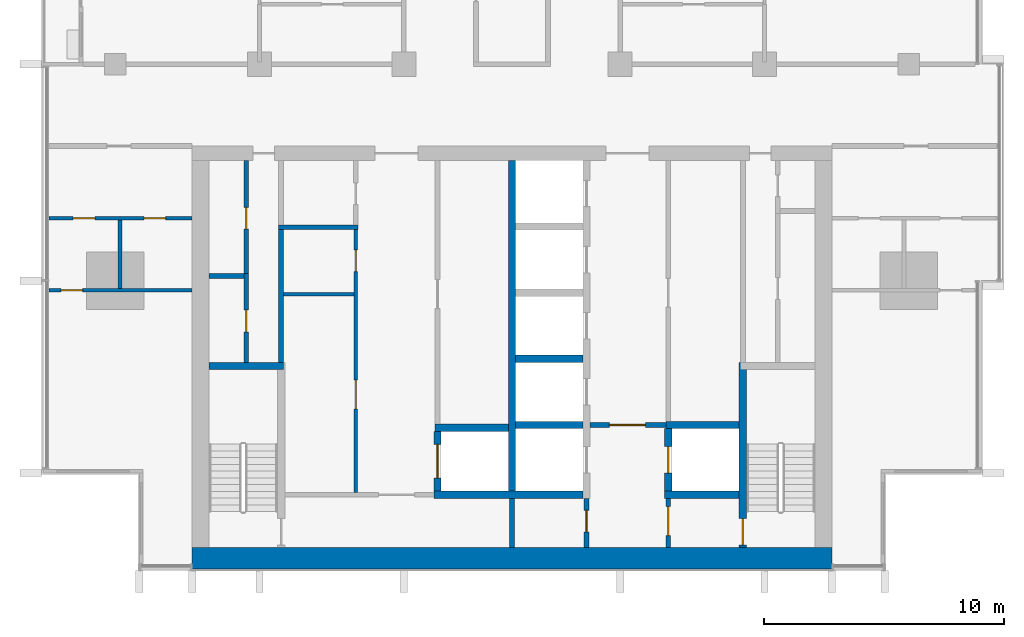
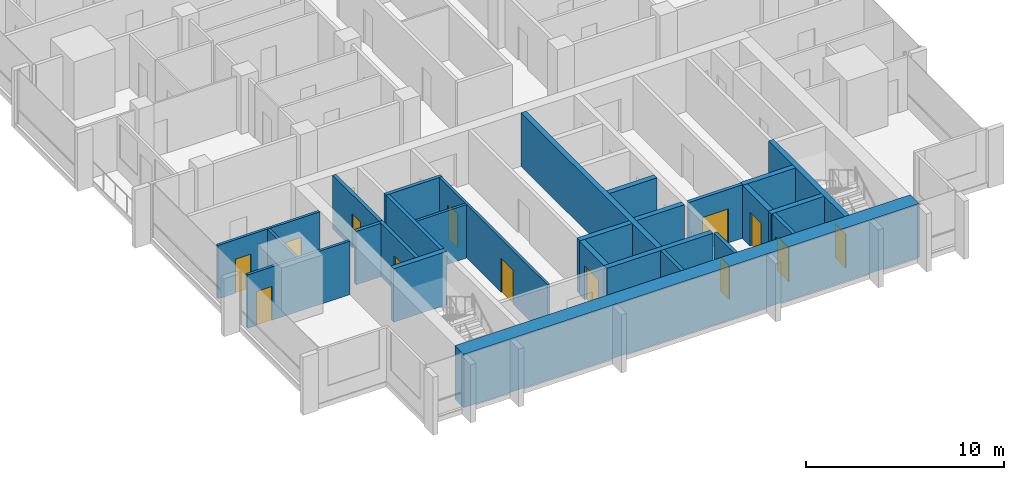
# One storey, part 7 of 17: 26 walls, 13 doors, 13 openings.
"""IFC4 building model written with IfcOpenShell, lengths in metres."""

from ifc_helpers import new_model, si_unit, direction, frame, frame_2d, origin, place, context, subcontext, project, spatial, rectangle, extrude, material, layer, layer_set, type_object, element, fill, save


model = new_model("IFC4")

# Units and contexts
model_context = context("Model", 3, precision=1e-05, world=origin(), true_north=direction((0.0, 1.0)))
body_context = subcontext(model_context, "Body", "Model", "MODEL_VIEW")
ifc_project = project(units=[si_unit("LENGTHUNIT", "METRE"), si_unit("AREAUNIT", "SQUARE_METRE"), si_unit("VOLUMEUNIT", "CUBIC_METRE"), si_unit("PLANEANGLEUNIT", "RADIAN"), si_unit("MASSUNIT", "GRAM", prefix="KILO")], contexts=[model_context])

# Site, building, storey
site_placement = place(None, origin())
site = spatial("IfcSite", under=ifc_project, at=site_placement, CompositionType="ELEMENT")
building_placement = place(site_placement, origin())
building = spatial("IfcBuilding", under=site, at=building_placement, Name="Finial Court Residences", CompositionType="ELEMENT")
storey_placement = place(building_placement, frame((0.0, 0.0, 192.5)))
storey = spatial("IfcBuildingStorey", under=building, at=storey_placement, Name="L48", CompositionType="ELEMENT", Elevation=192.5)

# Wall
ifc_material_1 = material(Name="Fire-rated gypsum board partition")
ifc_layer_1 = layer(ifc_material_1, 0.14990234375)
ifc_layer_set_1 = layer_set([ifc_layer_1], Name="Core room partition 150 EI 60")
wall_type_1 = type_object("IfcWallType", Name="Core room partition 150 EI 60", PredefinedType="PARTITIONING", material=ifc_layer_set_1)
wall_1_placement = place(storey_placement, frame((-9.5, -14.06005859375, 0.0), z_axis=(0.0, 0.0, 1.0), x_axis=(1.0, 0.0, 0.0)))
element("IfcWall", 1, at=wall_1_placement, inside=storey, type_object=wall_type_1, Name="Core partition L48-11", PredefinedType="PARTITIONING", context=body_context, shape_type="SweptSolid", body=[
    extrude(rectangle(XDim=2.925048828125, YDim=0.14990234375, at=frame_2d((1.46240234375, 0.0))), origin(), (0.0, 0.0, 1.0), 3.300048828125),
])

# Wall, openings, doors
wall_2_placement = place(storey_placement, frame((-6.5, -22.300048828125, 0.0), z_axis=(0.0, 0.0, 1.0), x_axis=(0.0, 1.0, 0.0)))
wall_2 = element("IfcWall", 2, at=wall_2_placement, inside=storey, type_object=wall_type_1, Name="Core partition L48-22", PredefinedType="PARTITIONING", context=body_context, shape_type="SweptSolid", body=[
    extrude(rectangle(XDim=10.920166015625, YDim=0.14990234375, at=frame_2d((5.4599609375, 0.0))), origin(), (0.0, 0.0, 1.0), 3.300048828125),
])
opening_1_placement = place(wall_2_placement, frame((3.469970703125, 0.0, 0.0)))
opening_1 = element("IfcOpeningElement", 3, at=opening_1_placement, cuts=wall_2, Name="Opening L48-C16", PredefinedType="OPENING", context=body_context, shape_type="SweptSolid", body=[
    extrude(rectangle(XDim=1.199951171875, YDim=2.10009765625, at=frame_2d((0.60009765625, 1.050048828125))), frame((0.0, 0.0849609375, 0.0), z_axis=(0.0, -1.0, 0.0), x_axis=(1.0, 0.0, 0.0)), (0.0, 0.0, 1.0), 0.169921875),
])
opening_2_placement = place(wall_2_placement, frame((9.179931640625, 0.0, 0.0)))
opening_2 = element("IfcOpeningElement", 4, at=opening_2_placement, cuts=wall_2, Name="Opening L48-C17", PredefinedType="OPENING", context=body_context, shape_type="SweptSolid", body=[
    extrude(rectangle(XDim=0.89990234375, YDim=2.10009765625, at=frame_2d((0.449951171875, 1.050048828125))), frame((0.0, 0.0849609375, 0.0), z_axis=(0.0, -1.0, 0.0), x_axis=(1.0, 0.0, 0.0)), (0.0, 0.0, 1.0), 0.169921875),
])
ifc_material_2 = material(Name="Steel fire door", Category="steel")
door_type_1 = type_object("IfcDoorType", Name="Core room door 1200 x 2100 EI 60", OperationType="NOTDEFINED", PredefinedType="DOOR", material=ifc_material_2)
door_1_placement = place(opening_1_placement, origin())
door_1 = element("IfcDoor", 5, at=door_1_placement, inside=storey, type_object=door_type_1, Name="Core room door L48-C16", OperationType="SINGLE_SWING_LEFT", OverallHeight=2.10009765625, OverallWidth=1.199951171875, PredefinedType="DOOR", context=body_context, shape_type="SweptSolid", body=[
    extrude(rectangle(XDim=1.199951171875, YDim=2.10009765625, at=frame_2d((0.60009765625, 1.050048828125))), frame((0.0, 0.02490234375, 0.0), z_axis=(0.0, -1.0, 0.0), x_axis=(1.0, 0.0, 0.0)), (0.0, 0.0, 1.0), 0.050048828125),
])
fill(opening_1, door_1)
door_type_2 = type_object("IfcDoorType", Name="Core room door 900 x 2100 EI 60", OperationType="NOTDEFINED", PredefinedType="DOOR", material=ifc_material_2)
door_2_placement = place(opening_2_placement, origin())
door_2 = element("IfcDoor", 6, at=door_2_placement, inside=storey, type_object=door_type_2, Name="Core room door L48-C17", OperationType="SINGLE_SWING_LEFT", OverallHeight=2.10009765625, OverallWidth=0.89990234375, PredefinedType="DOOR", context=body_context, shape_type="SweptSolid", body=[
    extrude(rectangle(XDim=0.89990234375, YDim=2.10009765625, at=frame_2d((0.449951171875, 1.050048828125))), frame((0.0, 0.02490234375, 0.0), z_axis=(0.0, -1.0, 0.0), x_axis=(1.0, 0.0, 0.0)), (0.0, 0.0, 1.0), 0.050048828125),
])
fill(opening_2, door_2)

# Wall
ifc_material_3 = material(Name="Concrete C70/85", Category="concrete")
ifc_layer_2 = layer(ifc_material_3, 0.89990234375)
ifc_layer_set_2 = layer_set([ifc_layer_2], Name="Core south facade wall 900 Concrete C70/85")
wall_type_2 = type_object("IfcWallType", Name="Core south facade wall 900 Concrete C70/85", PredefinedType="SHEAR", material=ifc_layer_set_2)
wall_3_placement = place(storey_placement, frame((-13.300048828125, -25.050048828125, 0.0), z_axis=(0.0, 0.0, 1.0), x_axis=(1.0, 0.0, 0.0)))
element("IfcWall", 7, at=wall_3_placement, inside=storey, type_object=wall_type_2, Name="Core outer wall L48-01", PredefinedType="SHEAR", context=body_context, shape_type="SweptSolid", body=[
    extrude(rectangle(XDim=26.60009765625, YDim=0.89990234375, at=frame_2d((13.300048828125, 0.0))), origin(), (0.0, 0.0, 1.0), 3.300048828125),
])

# Wall, opening, door
ifc_layer_3 = layer(ifc_material_1, 0.199951171875)
ifc_layer_set_3 = layer_set([ifc_layer_3], Name="Firefighting lobby wall 200 EI 120")
wall_type_3 = type_object("IfcWallType", Name="Firefighting lobby wall 200 EI 120", PredefinedType="PARTITIONING", material=ifc_layer_set_3)
wall_4_placement = place(storey_placement, frame((6.39990234375, -19.5, 0.0), z_axis=(0.0, 0.0, 1.0), x_axis=(-1.0, 0.0, 0.0)))
wall_4 = element("IfcWall", 8, at=wall_4_placement, inside=storey, type_object=wall_type_3, Name="Core partition L48-06", PredefinedType="PARTITIONING", context=body_context, shape_type="SweptSolid", body=[
    extrude(rectangle(XDim=3.14990234375, YDim=0.199951171875, at=frame_2d((1.574951171875, 0.0))), origin(), (0.0, 0.0, 1.0), 3.300048828125),
])
opening_3_placement = place(wall_4_placement, frame((0.85009765625, 0.0, 0.0)))
opening_3 = element("IfcOpeningElement", 9, at=opening_3_placement, cuts=wall_4, Name="Opening L48-C02", PredefinedType="OPENING", context=body_context, shape_type="SweptSolid", body=[
    extrude(rectangle(XDim=1.5, YDim=2.10009765625, at=frame_2d((0.75, 1.050048828125))), frame((0.0, 0.10986328125, 0.0), z_axis=(0.0, -1.0, 0.0), x_axis=(1.0, 0.0, 0.0)), (0.0, 0.0, 1.0), 0.219970703125),
])
door_type_3 = type_object("IfcDoorType", Name="Firefighting lobby door 1500 x 2100 EI 90", OperationType="DOUBLE_DOOR_SINGLE_SWING", PredefinedType="DOOR", material=ifc_material_2)
door_3_placement = place(opening_3_placement, origin())
door_3 = element("IfcDoor", 10, at=door_3_placement, inside=storey, type_object=door_type_3, Name="Firefighting lobby door L48-C02", OperationType="DOUBLE_DOOR_SINGLE_SWING", OverallHeight=2.10009765625, OverallWidth=1.5, PredefinedType="DOOR", context=body_context, shape_type="SweptSolid", body=[
    extrude(rectangle(XDim=1.5, YDim=2.10009765625, at=frame_2d((0.75, 1.050048828125))), frame((0.0, 0.02490234375, 0.0), z_axis=(0.0, -1.0, 0.0), x_axis=(1.0, 0.0, 0.0)), (0.0, 0.0, 1.0), 0.050048828125),
])
fill(opening_3, door_3)

wall_5_placement = place(storey_placement, frame((3.10009765625, -24.60009765625, 0.0), z_axis=(0.0, 0.0, 1.0), x_axis=(0.0, 1.0, 0.0)))
wall_5 = element("IfcWall", 11, at=wall_5_placement, inside=storey, type_object=wall_type_3, Name="Core partition L48-28", PredefinedType="PARTITIONING", context=body_context, shape_type="SweptSolid", body=[
    extrude(rectangle(XDim=2.050048828125, YDim=0.199951171875, at=frame_2d((1.02490234375, 0.0))), origin(), (0.0, 0.0, 1.0), 3.300048828125),
])
opening_4_placement = place(wall_5_placement, frame((0.64990234375, 0.0, 0.0)))
opening_4 = element("IfcOpeningElement", 12, at=opening_4_placement, cuts=wall_5, Name="Opening L48-C06", PredefinedType="OPENING", context=body_context, shape_type="SweptSolid", body=[
    extrude(rectangle(XDim=0.89990234375, YDim=2.10009765625, at=frame_2d((0.449951171875, 1.050048828125))), frame((0.0, 0.10986328125, 0.0), z_axis=(0.0, -1.0, 0.0), x_axis=(1.0, 0.0, 0.0)), (0.0, 0.0, 1.0), 0.219970703125),
])
door_type_4 = type_object("IfcDoorType", Name="Riser room door 900 x 2100 EI 90", OperationType="NOTDEFINED", PredefinedType="DOOR", material=ifc_material_2)
door_4_placement = place(opening_4_placement, origin())
door_4 = element("IfcDoor", 13, at=door_4_placement, inside=storey, type_object=door_type_4, Name="Riser room door L48-C06", OperationType="SINGLE_SWING_LEFT", OverallHeight=2.10009765625, OverallWidth=0.89990234375, PredefinedType="DOOR", context=body_context, shape_type="SweptSolid", body=[
    extrude(rectangle(XDim=0.89990234375, YDim=2.10009765625, at=frame_2d((0.449951171875, 1.050048828125))), frame((0.0, 0.02490234375, 0.0), z_axis=(0.0, -1.0, 0.0), x_axis=(1.0, 0.0, 0.0)), (0.0, 0.0, 1.0), 0.050048828125),
])
fill(opening_4, door_4)

wall_6_placement = place(storey_placement, frame((6.5, -22.550048828125, 0.0), z_axis=(0.0, 0.0, 1.0), x_axis=(0.0, -1.0, 0.0)))
wall_6 = element("IfcWall", 14, at=wall_6_placement, inside=storey, type_object=wall_type_3, Name="Core partition L48-30", PredefinedType="PARTITIONING", context=body_context, shape_type="SweptSolid", body=[
    extrude(rectangle(XDim=2.050048828125, YDim=0.199951171875, at=frame_2d((1.02490234375, 0.0))), origin(), (0.0, 0.0, 1.0), 3.300048828125),
])
opening_5_placement = place(wall_6_placement, frame((0.35009765625, 0.0, 0.0)))
opening_5 = element("IfcOpeningElement", 15, at=opening_5_placement, cuts=wall_6, Name="Opening L48-C01", PredefinedType="OPENING", context=body_context, shape_type="SweptSolid", body=[
    extrude(rectangle(XDim=1.199951171875, YDim=2.10009765625, at=frame_2d((0.60009765625, 1.050048828125))), frame((0.0, 0.10986328125, 0.0), z_axis=(0.0, -1.0, 0.0), x_axis=(1.0, 0.0, 0.0)), (0.0, 0.0, 1.0), 0.219970703125),
])
door_type_5 = type_object("IfcDoorType", Name="Firefighting lobby door 1200 x 2100 EI 90", OperationType="NOTDEFINED", PredefinedType="DOOR", material=ifc_material_2)
door_5_placement = place(opening_5_placement, origin())
door_5 = element("IfcDoor", 16, at=door_5_placement, inside=storey, type_object=door_type_5, Name="Firefighting lobby door L48-C01", OperationType="SINGLE_SWING_RIGHT", OverallHeight=2.10009765625, OverallWidth=1.199951171875, PredefinedType="DOOR", context=body_context, shape_type="SweptSolid", body=[
    extrude(rectangle(XDim=1.199951171875, YDim=2.10009765625, at=frame_2d((0.60009765625, 1.050048828125))), frame((0.0, 0.02490234375, 0.0), z_axis=(0.0, -1.0, 0.0), x_axis=(1.0, 0.0, 0.0)), (0.0, 0.0, 1.0), 0.050048828125),
])
fill(opening_5, door_5)

ifc_material_4 = material(Name="Moisture-resistant gypsum board")
ifc_layer_4 = layer(ifc_material_4, 0.012451171875)
ifc_material_5 = material(Name="Mineral wool in light-gauge frame")
ifc_layer_5 = layer(ifc_material_5, 0.125)
ifc_layer_6 = layer(ifc_material_4, 0.012451171875)
ifc_layer_set_4 = layer_set([ifc_layer_4, ifc_layer_5, ifc_layer_6], Name="Gypsum board wet-area partition 150")
wall_type_4 = type_object("IfcWallType", Name="Gypsum board wet-area partition 150", PredefinedType="PARTITIONING", material=ifc_layer_set_4)
wall_7_placement = place(storey_placement, frame((-19.262451171875, -13.89990234375, 0.0), z_axis=(0.0, 0.0, 1.0), x_axis=(1.0, 0.0, 0.0)))
wall_7 = element("IfcWall", 17, at=wall_7_placement, inside=storey, type_object=wall_type_4, Name="Partition L48-000", PredefinedType="PARTITIONING", context=body_context, shape_type="SweptSolid", body=[
    extrude(rectangle(XDim=5.96240234375, YDim=0.14990234375, at=frame_2d((2.981201171875, 0.0))), origin(), (0.0, 0.0, 1.0), 3.300048828125),
])
opening_6_placement = place(wall_7_placement, frame((0.511962890625, 0.0, 0.0)))
opening_6 = element("IfcOpeningElement", 18, at=opening_6_placement, cuts=wall_7, Name="Opening L48-D001", PredefinedType="OPENING", context=body_context, shape_type="SweptSolid", body=[
    extrude(rectangle(XDim=0.89990234375, YDim=2.10009765625, at=frame_2d((0.449951171875, 1.050048828125))), frame((0.0, 0.0849609375, 0.0), z_axis=(0.0, -1.0, 0.0), x_axis=(1.0, 0.0, 0.0)), (0.0, 0.0, 1.0), 0.169921875),
])
ifc_material_6 = material(Name="Timber door leaf in timber frame", Category="wood")
door_type_6 = type_object("IfcDoorType", Name="Door set 900 x 2100", OperationType="SINGLE_SWING_LEFT", PredefinedType="DOOR", material=ifc_material_6)
door_6_placement = place(opening_6_placement, origin())
door_6 = element("IfcDoor", 19, at=door_6_placement, inside=storey, type_object=door_type_6, Name="Door L48-D001", OperationType="SINGLE_SWING_LEFT", OverallHeight=2.10009765625, OverallWidth=0.89990234375, PredefinedType="DOOR", context=body_context, shape_type="SweptSolid", body=[
    extrude(rectangle(XDim=0.89990234375, YDim=2.10009765625, at=frame_2d((0.449951171875, 1.050048828125))), frame((0.0, 0.02490234375, 0.0), z_axis=(0.0, -1.0, 0.0), x_axis=(1.0, 0.0, 0.0)), (0.0, 0.0, 1.0), 0.050048828125),
])
fill(opening_6, door_6)

# Wall, openings, doors
wall_8_placement = place(storey_placement, frame((-19.262451171875, -10.89990234375, 0.0), z_axis=(0.0, 0.0, 1.0), x_axis=(1.0, 0.0, 0.0)))
wall_8 = element("IfcWall", 20, at=wall_8_placement, inside=storey, type_object=wall_type_4, Name="Partition L48-002", PredefinedType="PARTITIONING", context=body_context, shape_type="SweptSolid", body=[
    extrude(rectangle(XDim=5.96240234375, YDim=0.14990234375, at=frame_2d((2.981201171875, 0.0))), origin(), (0.0, 0.0, 1.0), 3.300048828125),
])
opening_7_placement = place(wall_8_placement, frame((1.011962890625, 0.0, 0.0)))
opening_7 = element("IfcOpeningElement", 21, at=opening_7_placement, cuts=wall_8, Name="Opening L48-D003", PredefinedType="OPENING", context=body_context, shape_type="SweptSolid", body=[
    extrude(rectangle(XDim=0.89990234375, YDim=2.10009765625, at=frame_2d((0.449951171875, 1.050048828125))), frame((0.0, 0.0849609375, 0.0), z_axis=(0.0, -1.0, 0.0), x_axis=(1.0, 0.0, 0.0)), (0.0, 0.0, 1.0), 0.169921875),
])
opening_8_placement = place(wall_8_placement, frame((3.962890625, 0.0, 0.0)))
opening_8 = element("IfcOpeningElement", 22, at=opening_8_placement, cuts=wall_8, Name="Opening L48-D004", PredefinedType="OPENING", context=body_context, shape_type="SweptSolid", body=[
    extrude(rectangle(XDim=0.89990234375, YDim=2.10009765625, at=frame_2d((0.449951171875, 1.050048828125))), frame((0.0, 0.0849609375, 0.0), z_axis=(0.0, -1.0, 0.0), x_axis=(1.0, 0.0, 0.0)), (0.0, 0.0, 1.0), 0.169921875),
])
door_7_placement = place(opening_7_placement, origin())
door_7 = element("IfcDoor", 23, at=door_7_placement, inside=storey, type_object=door_type_6, Name="Door L48-D003", OperationType="SINGLE_SWING_LEFT", OverallHeight=2.10009765625, OverallWidth=0.89990234375, PredefinedType="DOOR", context=body_context, shape_type="SweptSolid", body=[
    extrude(rectangle(XDim=0.89990234375, YDim=2.10009765625, at=frame_2d((0.449951171875, 1.050048828125))), frame((0.0, 0.02490234375, 0.0), z_axis=(0.0, -1.0, 0.0), x_axis=(1.0, 0.0, 0.0)), (0.0, 0.0, 1.0), 0.050048828125),
])
fill(opening_7, door_7)
door_8_placement = place(opening_8_placement, origin())
door_8 = element("IfcDoor", 24, at=door_8_placement, inside=storey, type_object=door_type_6, Name="Door L48-D004", OperationType="SINGLE_SWING_RIGHT", OverallHeight=2.10009765625, OverallWidth=0.89990234375, PredefinedType="DOOR", context=body_context, shape_type="SweptSolid", body=[
    extrude(rectangle(XDim=0.89990234375, YDim=2.10009765625, at=frame_2d((0.449951171875, 1.050048828125))), frame((0.0, 0.02490234375, 0.0), z_axis=(0.0, -1.0, 0.0), x_axis=(1.0, 0.0, 0.0)), (0.0, 0.0, 1.0), 0.050048828125),
])
fill(opening_8, door_8)

# Walls
wall_9_placement = place(storey_placement, frame((-16.300048828125, -13.824951171875, 0.0), z_axis=(0.0, 0.0, 1.0), x_axis=(0.0, 1.0, 0.0)))
element("IfcWall", 25, at=wall_9_placement, inside=storey, type_object=wall_type_4, Name="Partition L48-036", PredefinedType="PARTITIONING", context=body_context, shape_type="SweptSolid", body=[
    extrude(rectangle(XDim=2.849853515625, YDim=0.14990234375, at=frame_2d((1.4248046875, 0.0))), origin(), (0.0, 0.0, 1.0), 3.300048828125),
])
ifc_layer_7 = layer(ifc_material_3, 0.300048828125)
ifc_layer_set_5 = layer_set([ifc_layer_7], Name="Lift shaft and stair wall 300 Concrete C70/85")
wall_type_5 = type_object("IfcWallType", Name="Lift shaft and stair wall 300 Concrete C70/85", PredefinedType="SHEAR", material=ifc_layer_set_5)
wall_10_placement = place(storey_placement, frame((-3.25, -22.39990234375, 0.0), z_axis=(0.0, 0.0, 1.0), x_axis=(1.0, 0.0, 0.0)))
element("IfcWall", 26, at=wall_10_placement, inside=storey, type_object=wall_type_5, Name="Core wall L48-02", PredefinedType="SHEAR", context=body_context, shape_type="SweptSolid", body=[
    extrude(rectangle(XDim=6.199951171875, YDim=0.300048828125, at=frame_2d((3.10009765625, 0.0))), origin(), (0.0, 0.0, 1.0), 3.300048828125),
])
wall_11_placement = place(storey_placement, frame((6.35009765625, -22.39990234375, 0.0), z_axis=(0.0, 0.0, 1.0), x_axis=(1.0, 0.0, 0.0)))
element("IfcWall", 27, at=wall_11_placement, inside=storey, type_object=wall_type_5, Name="Core wall L48-03", PredefinedType="SHEAR", context=body_context, shape_type="SweptSolid", body=[
    extrude(rectangle(XDim=3.099853515625, YDim=0.300048828125, at=frame_2d((1.5498046875, 0.0))), origin(), (0.0, 0.0, 1.0), 3.300048828125),
])
wall_12_placement = place(storey_placement, frame((-3.199951171875, -19.6201171875, 0.0), z_axis=(0.0, 0.0, 1.0), x_axis=(1.0, 0.0, 0.0)))
element("IfcWall", 28, at=wall_12_placement, inside=storey, type_object=wall_type_5, Name="Core wall L48-04", PredefinedType="SHEAR", context=body_context, shape_type="SweptSolid", body=[
    extrude(rectangle(XDim=3.050048828125, YDim=0.300048828125, at=frame_2d((1.52490234375, 0.0))), origin(), (0.0, 0.0, 1.0), 3.300048828125),
])
wall_13_placement = place(storey_placement, frame((0.14990234375, -19.5, 0.0), z_axis=(0.0, 0.0, 1.0), x_axis=(1.0, 0.0, 0.0)))
element("IfcWall", 29, at=wall_13_placement, inside=storey, type_object=wall_type_5, Name="Core wall L48-05", PredefinedType="SHEAR", context=body_context, shape_type="SweptSolid", body=[
    extrude(rectangle(XDim=2.800048828125, YDim=0.300048828125, at=frame_2d((1.39990234375, 0.0))), origin(), (0.0, 0.0, 1.0), 3.300048828125),
])
wall_14_placement = place(storey_placement, frame((6.39990234375, -19.5, 0.0), z_axis=(0.0, 0.0, 1.0), x_axis=(1.0, 0.0, 0.0)))
element("IfcWall", 30, at=wall_14_placement, inside=storey, type_object=wall_type_5, Name="Core wall L48-07", PredefinedType="SHEAR", context=body_context, shape_type="SweptSolid", body=[
    extrude(rectangle(XDim=3.050048828125, YDim=0.300048828125, at=frame_2d((1.52490234375, 0.0))), origin(), (0.0, 0.0, 1.0), 3.300048828125),
])
wall_15_placement = place(storey_placement, frame((-12.60009765625, -17.050048828125, 0.0), z_axis=(0.0, 0.0, 1.0), x_axis=(1.0, 0.0, 0.0)))
element("IfcWall", 31, at=wall_15_placement, inside=storey, type_object=wall_type_5, Name="Core wall L48-08", PredefinedType="SHEAR", context=body_context, shape_type="SweptSolid", body=[
    extrude(rectangle(XDim=3.10009765625, YDim=0.300048828125, at=frame_2d((1.550048828125, 0.0))), origin(), (0.0, 0.0, 1.0), 3.300048828125),
])
wall_16_placement = place(storey_placement, frame((0.14990234375, -16.75, 0.0), z_axis=(0.0, 0.0, 1.0), x_axis=(1.0, 0.0, 0.0)))
element("IfcWall", 32, at=wall_16_placement, inside=storey, type_object=wall_type_5, Name="Core wall L48-10", PredefinedType="SHEAR", context=body_context, shape_type="SweptSolid", body=[
    extrude(rectangle(XDim=2.800048828125, YDim=0.300048828125, at=frame_2d((1.39990234375, 0.0))), origin(), (0.0, 0.0, 1.0), 3.300048828125),
])

# Wall, opening, door
wall_17_placement = place(storey_placement, frame((-3.10009765625, -22.25, 0.0), z_axis=(0.0, 0.0, 1.0), x_axis=(0.0, 1.0, 0.0)))
wall_17 = element("IfcWall", 33, at=wall_17_placement, inside=storey, type_object=wall_type_5, Name="Core wall L48-24", PredefinedType="SHEAR", context=body_context, shape_type="SweptSolid", body=[
    extrude(rectangle(XDim=2.47998046875, YDim=0.300048828125, at=frame_2d((1.239990234375, 0.0))), origin(), (0.0, 0.0, 1.0), 3.300048828125),
])
opening_9_placement = place(wall_17_placement, frame((0.5400390625, 0.0, 0.0)))
opening_9 = element("IfcOpeningElement", 34, at=opening_9_placement, cuts=wall_17, Name="Opening L48-LD07", PredefinedType="OPENING", context=body_context, shape_type="SweptSolid", body=[
    extrude(rectangle(XDim=1.39990234375, YDim=2.10009765625, at=frame_2d((0.699951171875, 1.050048828125))), frame((0.0, 0.159912109375, 0.0), z_axis=(0.0, -1.0, 0.0), x_axis=(1.0, 0.0, 0.0)), (0.0, 0.0, 1.0), 0.320068359375),
])
ifc_material_7 = material(Name="Stainless steel lift door", Category="steel")
door_type_7 = type_object("IfcDoorType", Name="Lift landing door 1400 x 2100 EI 90", OperationType="DOUBLE_DOOR_SLIDING", PredefinedType="DOOR", material=ifc_material_7)
door_9_placement = place(opening_9_placement, origin())
door_9 = element("IfcDoor", 35, at=door_9_placement, inside=storey, type_object=door_type_7, Name="Lift landing door SV1 L48", OperationType="DOUBLE_DOOR_SLIDING", OverallHeight=2.10009765625, OverallWidth=1.39990234375, PredefinedType="DOOR", context=body_context, shape_type="SweptSolid", body=[
    extrude(rectangle(XDim=1.39990234375, YDim=2.10009765625, at=frame_2d((0.699951171875, 1.050048828125))), frame((0.0, 0.02490234375, 0.0), z_axis=(0.0, -1.0, 0.0), x_axis=(1.0, 0.0, 0.0)), (0.0, 0.0, 1.0), 0.050048828125),
])
fill(opening_9, door_9)

# Wall
wall_18_placement = place(storey_placement, frame((0.0, -22.25, 0.0), z_axis=(0.0, 0.0, 1.0), x_axis=(0.0, 1.0, 0.0)))
element("IfcWall", 36, at=wall_18_placement, inside=storey, type_object=wall_type_5, Name="Core wall L48-27", PredefinedType="SHEAR", context=body_context, shape_type="SweptSolid", body=[
    extrude(rectangle(XDim=13.75, YDim=0.300048828125, at=frame_2d((6.875, 0.0))), origin(), (0.0, 0.0, 1.0), 3.300048828125),
])

# Wall, opening, door
wall_19_placement = place(storey_placement, frame((6.5, -22.25, 0.0), z_axis=(0.0, 0.0, 1.0), x_axis=(0.0, 1.0, 0.0)))
wall_19 = element("IfcWall", 37, at=wall_19_placement, inside=storey, type_object=wall_type_5, Name="Core wall L48-31", PredefinedType="SHEAR", context=body_context, shape_type="SweptSolid", body=[
    extrude(rectangle(XDim=2.60009765625, YDim=0.300048828125, at=frame_2d((1.300048828125, 0.0))), origin(), (0.0, 0.0, 1.0), 3.300048828125),
])
opening_10_placement = place(wall_19_placement, frame((0.75, 0.0, 0.0)))
opening_10 = element("IfcOpeningElement", 38, at=opening_10_placement, cuts=wall_19, Name="Opening L48-LD02", PredefinedType="OPENING", context=body_context, shape_type="SweptSolid", body=[
    extrude(rectangle(XDim=1.10009765625, YDim=2.10009765625, at=frame_2d((0.550048828125, 1.050048828125))), frame((0.0, 0.159912109375, 0.0), z_axis=(0.0, -1.0, 0.0), x_axis=(1.0, 0.0, 0.0)), (0.0, 0.0, 1.0), 0.320068359375),
])
door_type_8 = type_object("IfcDoorType", Name="Lift landing door 1100 x 2100 EI 90", OperationType="DOUBLE_DOOR_SLIDING", PredefinedType="DOOR", material=ifc_material_7)
door_10_placement = place(opening_10_placement, origin())
door_10 = element("IfcDoor", 39, at=door_10_placement, inside=storey, type_object=door_type_8, Name="Lift landing door FF2 L48", OperationType="DOUBLE_DOOR_SLIDING", OverallHeight=2.10009765625, OverallWidth=1.10009765625, PredefinedType="DOOR", context=body_context, shape_type="SweptSolid", body=[
    extrude(rectangle(XDim=1.10009765625, YDim=2.10009765625, at=frame_2d((0.550048828125, 1.050048828125))), frame((0.0, 0.02490234375, 0.0), z_axis=(0.0, -1.0, 0.0), x_axis=(1.0, 0.0, 0.0)), (0.0, 0.0, 1.0), 0.050048828125),
])
fill(opening_10, door_10)

wall_20_placement = place(storey_placement, frame((9.60009765625, -16.89990234375, 0.0), z_axis=(0.0, 0.0, 1.0), x_axis=(0.0, -1.0, 0.0)))
wall_20 = element("IfcWall", 40, at=wall_20_placement, inside=storey, type_object=wall_type_5, Name="Core wall L48-33", PredefinedType="SHEAR", context=body_context, shape_type="SweptSolid", body=[
    extrude(rectangle(XDim=7.7001953125, YDim=0.300048828125, at=frame_2d((3.85009765625, 0.0))), origin(), (0.0, 0.0, 1.0), 3.300048828125),
])
opening_11_placement = place(wall_20_placement, frame((6.5, 0.0, 0.0)))
opening_11 = element("IfcOpeningElement", 41, at=opening_11_placement, cuts=wall_20, Name="Opening L48-C19", PredefinedType="OPENING", context=body_context, shape_type="SweptSolid", body=[
    extrude(rectangle(XDim=1.10009765625, YDim=2.10009765625, at=frame_2d((0.550048828125, 1.050048828125))), frame((0.0, 0.159912109375, 0.0), z_axis=(0.0, -1.0, 0.0), x_axis=(1.0, 0.0, 0.0)), (0.0, 0.0, 1.0), 0.320068359375),
])
door_type_9 = type_object("IfcDoorType", Name="Stair door 1100 x 2100 EI 90", OperationType="NOTDEFINED", PredefinedType="DOOR", material=ifc_material_2)
door_11_placement = place(opening_11_placement, origin())
door_11 = element("IfcDoor", 42, at=door_11_placement, inside=storey, type_object=door_type_9, Name="Stair door L48-C19", OperationType="SINGLE_SWING_RIGHT", OverallHeight=2.10009765625, OverallWidth=1.10009765625, PredefinedType="DOOR", context=body_context, shape_type="SweptSolid", body=[
    extrude(rectangle(XDim=1.10009765625, YDim=2.10009765625, at=frame_2d((0.550048828125, 1.050048828125))), frame((0.0, 0.02490234375, 0.0), z_axis=(0.0, -1.0, 0.0), x_axis=(1.0, 0.0, 0.0)), (0.0, 0.0, 1.0), 0.050048828125),
])
fill(opening_11, door_11)

# Walls
ifc_layer_8 = layer(ifc_material_1, 0.199951171875)
ifc_layer_set_6 = layer_set([ifc_layer_8], Name="Riser room wall 200 EI 120")
wall_type_6 = type_object("IfcWallType", Name="Riser room wall 200 EI 120", PredefinedType="PARTITIONING", material=ifc_layer_set_6)
wall_21_placement = place(storey_placement, frame((-12.60009765625, -13.300048828125, 0.0), z_axis=(0.0, 0.0, 1.0), x_axis=(1.0, 0.0, 0.0)))
element("IfcWall", 43, at=wall_21_placement, inside=storey, type_object=wall_type_6, Name="Core partition L48-13", PredefinedType="PARTITIONING", context=body_context, shape_type="SweptSolid", body=[
    extrude(rectangle(XDim=1.4501953125, YDim=0.199951171875, at=frame_2d((0.72509765625, 0.0))), origin(), (0.0, 0.0, 1.0), 3.300048828125),
])
wall_22_placement = place(storey_placement, frame((-9.699951171875, -11.280029296875, 0.0), z_axis=(0.0, 0.0, 1.0), x_axis=(1.0, 0.0, 0.0)))
element("IfcWall", 44, at=wall_22_placement, inside=storey, type_object=wall_type_6, Name="Core partition L48-14", PredefinedType="PARTITIONING", context=body_context, shape_type="SweptSolid", body=[
    extrude(rectangle(XDim=3.300048828125, YDim=0.199951171875, at=frame_2d((1.64990234375, 0.0))), origin(), (0.0, 0.0, 1.0), 3.300048828125),
])

# Wall, opening, door
wall_23_placement = place(storey_placement, frame((-11.050048828125, -13.39990234375, 0.0), z_axis=(0.0, 0.0, 1.0), x_axis=(0.0, 1.0, 0.0)))
wall_23 = element("IfcWall", 45, at=wall_23_placement, inside=storey, type_object=wall_type_6, Name="Core partition L48-18", PredefinedType="PARTITIONING", context=body_context, shape_type="SweptSolid", body=[
    extrude(rectangle(XDim=4.89990234375, YDim=0.199951171875, at=frame_2d((2.449951171875, 0.0))), origin(), (0.0, 0.0, 1.0), 3.300048828125),
])
opening_12_placement = place(wall_23_placement, frame((2.050048828125, 0.0, 0.0)))
opening_12 = element("IfcOpeningElement", 46, at=opening_12_placement, cuts=wall_23, Name="Opening L48-C07", PredefinedType="OPENING", context=body_context, shape_type="SweptSolid", body=[
    extrude(rectangle(XDim=0.89990234375, YDim=2.10009765625, at=frame_2d((0.449951171875, 1.050048828125))), frame((0.0, 0.10986328125, 0.0), z_axis=(0.0, -1.0, 0.0), x_axis=(1.0, 0.0, 0.0)), (0.0, 0.0, 1.0), 0.219970703125),
])
door_12_placement = place(opening_12_placement, origin())
door_12 = element("IfcDoor", 47, at=door_12_placement, inside=storey, type_object=door_type_4, Name="Riser room door L48-C07", OperationType="SINGLE_SWING_LEFT", OverallHeight=2.10009765625, OverallWidth=0.89990234375, PredefinedType="DOOR", context=body_context, shape_type="SweptSolid", body=[
    extrude(rectangle(XDim=0.89990234375, YDim=2.10009765625, at=frame_2d((0.449951171875, 1.050048828125))), frame((0.0, 0.02490234375, 0.0), z_axis=(0.0, -1.0, 0.0), x_axis=(1.0, 0.0, 0.0)), (0.0, 0.0, 1.0), 0.050048828125),
])
fill(opening_12, door_12)

# Wall
wall_24_placement = place(storey_placement, frame((0.0, -24.60009765625, 0.0), z_axis=(0.0, 0.0, 1.0), x_axis=(0.0, 1.0, 0.0)))
element("IfcWall", 48, at=wall_24_placement, inside=storey, type_object=wall_type_6, Name="Core partition L48-26", PredefinedType="PARTITIONING", context=body_context, shape_type="SweptSolid", body=[
    extrude(rectangle(XDim=2.050048828125, YDim=0.199951171875, at=frame_2d((1.02490234375, 0.0))), origin(), (0.0, 0.0, 1.0), 3.300048828125),
])

# Wall, opening, door
ifc_layer_9 = layer(ifc_material_1, 0.199951171875)
ifc_layer_set_7 = layer_set([ifc_layer_9], Name="Stair passage wall 200 EI 180")
wall_type_7 = type_object("IfcWallType", Name="Stair passage wall 200 EI 180", PredefinedType="PARTITIONING", material=ifc_layer_set_7)
wall_25_placement = place(storey_placement, frame((-11.050048828125, -16.89990234375, 0.0), z_axis=(0.0, 0.0, 1.0), x_axis=(0.0, 1.0, 0.0)))
wall_25 = element("IfcWall", 49, at=wall_25_placement, inside=storey, type_object=wall_type_7, Name="Core partition L48-17", PredefinedType="PARTITIONING", context=body_context, shape_type="SweptSolid", body=[
    extrude(rectangle(XDim=3.699951171875, YDim=0.199951171875, at=frame_2d((1.85009765625, 0.0))), origin(), (0.0, 0.0, 1.0), 3.300048828125),
])
opening_13_placement = place(wall_25_placement, frame((1.27490234375, 0.0, 0.0)))
opening_13 = element("IfcOpeningElement", 50, at=opening_13_placement, cuts=wall_25, Name="Opening L48-C14", PredefinedType="OPENING", context=body_context, shape_type="SweptSolid", body=[
    extrude(rectangle(XDim=0.89990234375, YDim=2.10009765625, at=frame_2d((0.449951171875, 1.050048828125))), frame((0.0, 0.10986328125, 0.0), z_axis=(0.0, -1.0, 0.0), x_axis=(1.0, 0.0, 0.0)), (0.0, 0.0, 1.0), 0.219970703125),
])
door_13_placement = place(opening_13_placement, origin())
door_13 = element("IfcDoor", 51, at=door_13_placement, inside=storey, type_object=door_type_2, Name="Core room door L48-C14", OperationType="SINGLE_SWING_LEFT", OverallHeight=2.10009765625, OverallWidth=0.89990234375, PredefinedType="DOOR", context=body_context, shape_type="SweptSolid", body=[
    extrude(rectangle(XDim=0.89990234375, YDim=2.10009765625, at=frame_2d((0.449951171875, 1.050048828125))), frame((0.0, 0.02490234375, 0.0), z_axis=(0.0, -1.0, 0.0), x_axis=(1.0, 0.0, 0.0)), (0.0, 0.0, 1.0), 0.050048828125),
])
fill(opening_13, door_13)

# Wall
wall_26_placement = place(storey_placement, frame((-9.60009765625, -16.89990234375, 0.0), z_axis=(0.0, 0.0, 1.0), x_axis=(0.0, 1.0, 0.0)))
element("IfcWall", 52, at=wall_26_placement, inside=storey, type_object=wall_type_7, Name="Core partition L48-20", PredefinedType="PARTITIONING", context=body_context, shape_type="SweptSolid", body=[
    extrude(rectangle(XDim=5.719970703125, YDim=0.199951171875, at=frame_2d((2.85986328125, 0.0))), origin(), (0.0, 0.0, 1.0), 3.300048828125),
])

save(model, "model.ifc")
